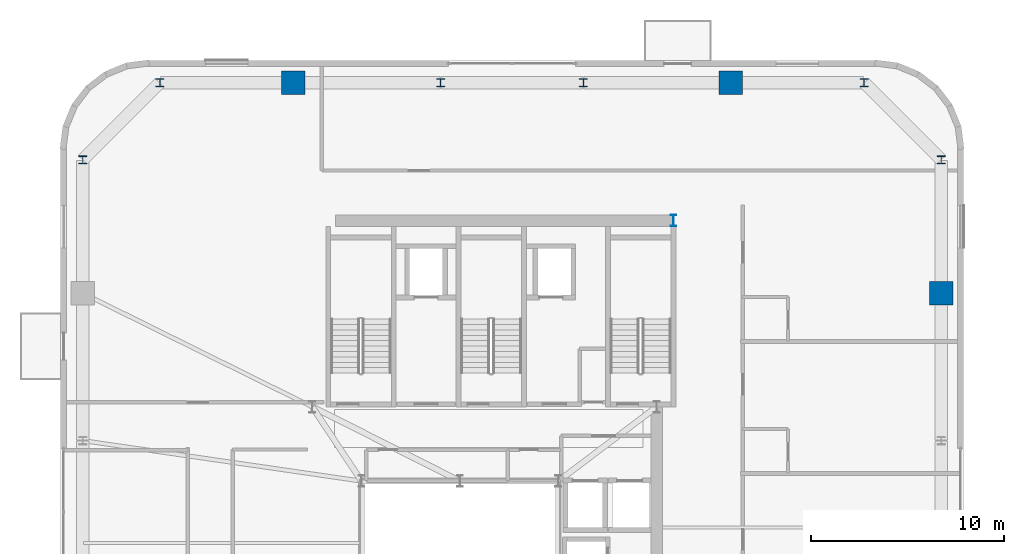
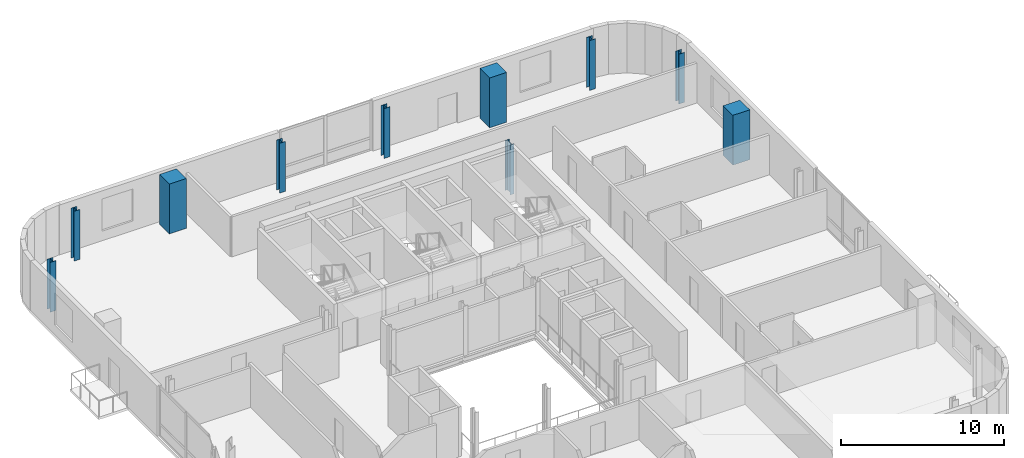
# One storey, part 2 of 15: 10 columns.
"""IFC4 building model written with IfcOpenShell, lengths in metres."""

from ifc_helpers import new_model, si_unit, direction, frame, origin, origin_2d, place, context, subcontext, project, spatial, rectangle, i_section, extrude, source, transform, mapped, material, material_profile, profile_set, type_object, element, save


model = new_model("IFC4")

# Units and contexts
model_context = context("Model", 3, precision=1e-05, world=origin(), true_north=direction((0.0, 1.0)))
body_context = subcontext(model_context, "Body", "Model", "MODEL_VIEW")
ifc_project = project(units=[si_unit("LENGTHUNIT", "METRE"), si_unit("AREAUNIT", "SQUARE_METRE"), si_unit("VOLUMEUNIT", "CUBIC_METRE"), si_unit("PLANEANGLEUNIT", "RADIAN"), si_unit("MASSUNIT", "GRAM", prefix="KILO")], contexts=[model_context])

# Site, building, storey
site_placement = place(None, origin())
site = spatial("IfcSite", under=ifc_project, at=site_placement, CompositionType="ELEMENT")
building_placement = place(site_placement, origin())
building = spatial("IfcBuilding", under=site, at=building_placement, Name="Vardaveli Station Tower", CompositionType="ELEMENT")
storey_placement = place(building_placement, frame((0.0, 0.0, 246.64990234375)))
storey = spatial("IfcBuildingStorey", under=building, at=storey_placement, Name="L63", CompositionType="ELEMENT", Elevation=246.64990234375)

# Columns
ifc_material_1 = material(Name="Structural steel S460M", Category="steel")
ifc_material_profile_1 = material_profile(ifc_material_1, i_section(OverallWidth=0.300048828125, OverallDepth=0.60009765625, WebThickness=0.015380859375, FlangeThickness=0.030029296875, FilletRadius=0.027099609375, at=origin_2d()), Name="HEB 600")
ifc_profile_set_1 = profile_set([ifc_material_profile_1], Name="Structural steel S460M")
column_type_1 = type_object("IfcColumnType", Name="COL-HEB600", PredefinedType="COLUMN", material=ifc_profile_set_1)
shared_shape_1 = source(origin(), body_context, "Body", "SweptSolid", [
    extrude(i_section(OverallWidth=0.300048828125, OverallDepth=0.60009765625, WebThickness=0.015380859375, FlangeThickness=0.030029296875, FilletRadius=0.027099609375, at=origin_2d()), origin(), (0.0, 0.0, 1.0), 3.72998046875),
])
column_placement = place(storey_placement, frame((47.3701171875, 40.300048828125, 0.0), z_axis=(0.0, 0.0, 1.0), x_axis=(1.0, 0.0, 0.0)))
element("IfcColumn", 1, at=column_placement, inside=storey, type_object=column_type_1, Name="COL-L63-CC3", PredefinedType="COLUMN", context=body_context, shape_type="MappedRepresentation", body=[
    mapped(shared_shape_1, transform((0.0, 0.0, 0.0), scale=1.0)),
])
ifc_material_2 = material(Name="Concrete C50/60", Category="concrete")
ifc_material_profile_2 = material_profile(ifc_material_2, rectangle(XDim=1.199951171875, YDim=1.199951171875, at=origin_2d()), Name="MC 1200x1200")
ifc_profile_set_2 = profile_set([ifc_material_profile_2], Name="Concrete C50/60")
column_type_2 = type_object("IfcColumnType", Name="COL-MC-1200", PredefinedType="COLUMN", material=ifc_profile_set_2)
shared_shape_2 = source(origin(), body_context, "Body", "SweptSolid", [
    extrude(rectangle(XDim=1.199951171875, YDim=1.199951171875, at=origin_2d()), origin(), (0.0, 0.0, 1.0), 3.72998046875),
])
for number, where, z_axis, x_axis, name in (
    (2, (61.25, 36.5400390625, 0.0), (0.0, 0.0, 1.0), (1.0, 0.0, 0.0), "COL-L63-MC4"),
    (3, (50.340087890625, 47.449951171875, 0.0), (0.0, 0.0, 1.0), (1.0, 0.0, 0.0), "COL-L63-MC5"),
    (4, (27.659912109375, 47.449951171875, 0.0), (0.0, 0.0, 1.0), (1.0, 0.0, 0.0), "COL-L63-MC6"),
):
    element("IfcColumn", number, at=place(storey_placement, frame(where, z_axis=z_axis, x_axis=x_axis)), inside=storey, type_object=column_type_2, Name=name, PredefinedType="COLUMN", context=body_context, shape_type="MappedRepresentation", body=[
        mapped(shared_shape_2, transform((0.0, 0.0, 0.0), scale=1.0)),
    ])
ifc_material_profile_3 = material_profile(ifc_material_1, i_section(OverallWidth=0.405029296875, OverallDepth=0.403076171875, WebThickness=0.017822265625, FlangeThickness=0.02783203125, FilletRadius=0.014892578125, at=origin_2d()), Name="HD 400x287")
ifc_profile_set_3 = profile_set([ifc_material_profile_3], Name="Structural steel S460M")
column_type_3 = type_object("IfcColumnType", Name="COL-HD287", PredefinedType="COLUMN", material=ifc_profile_set_3)
shared_shape_3 = source(origin(), body_context, "Body", "SweptSolid", [
    extrude(i_section(OverallWidth=0.405029296875, OverallDepth=0.403076171875, WebThickness=0.017822265625, FlangeThickness=0.02783203125, FilletRadius=0.014892578125, at=origin_2d()), origin(), (0.0, 0.0, 1.0), 3.72998046875),
])
for number, where, z_axis, x_axis, name in (
    (5, (61.25, 43.449951171875, 0.0), (0.0, 0.0, 1.0), (1.0, 0.0, 0.0), "COL-L63-PC08"),
    (6, (57.25, 47.449951171875, 0.0), (0.0, 0.0, 1.0), (1.0, 0.0, 0.0), "COL-L63-PC09"),
    (7, (42.699951171875, 47.449951171875, 0.0), (0.0, 0.0, 1.0), (1.0, 0.0, 0.0), "COL-L63-PC10"),
    (8, (35.300048828125, 47.449951171875, 0.0), (0.0, 0.0, 1.0), (1.0, 0.0, 0.0), "COL-L63-PC11"),
    (9, (20.75, 47.449951171875, 0.0), (0.0, 0.0, 1.0), (1.0, 0.0, 0.0), "COL-L63-PC12"),
    (10, (16.75, 43.449951171875, 0.0), (0.0, 0.0, 1.0), (1.0, 0.0, 0.0), "COL-L63-PC13"),
):
    element("IfcColumn", number, at=place(storey_placement, frame(where, z_axis=z_axis, x_axis=x_axis)), inside=storey, type_object=column_type_3, Name=name, PredefinedType="COLUMN", context=body_context, shape_type="MappedRepresentation", body=[
        mapped(shared_shape_3, transform((0.0, 0.0, 0.0), scale=1.0)),
    ])

save(model, "model.ifc")
